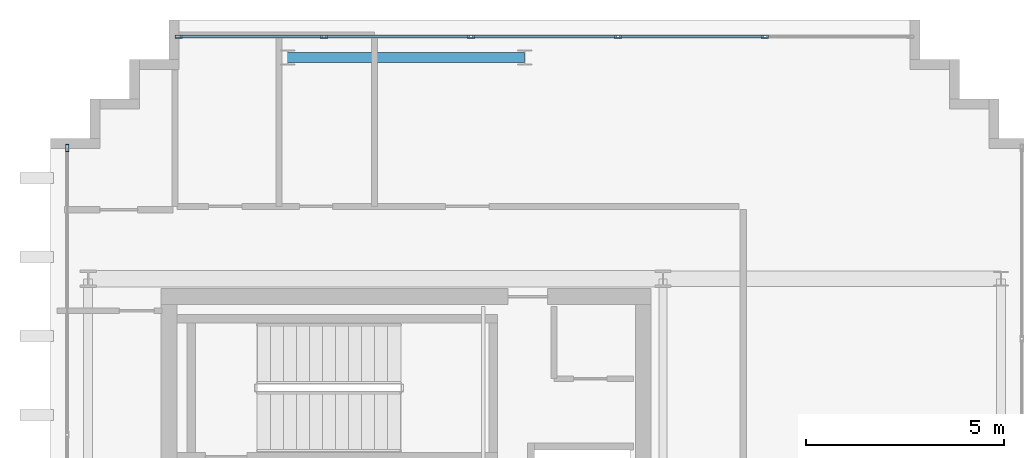
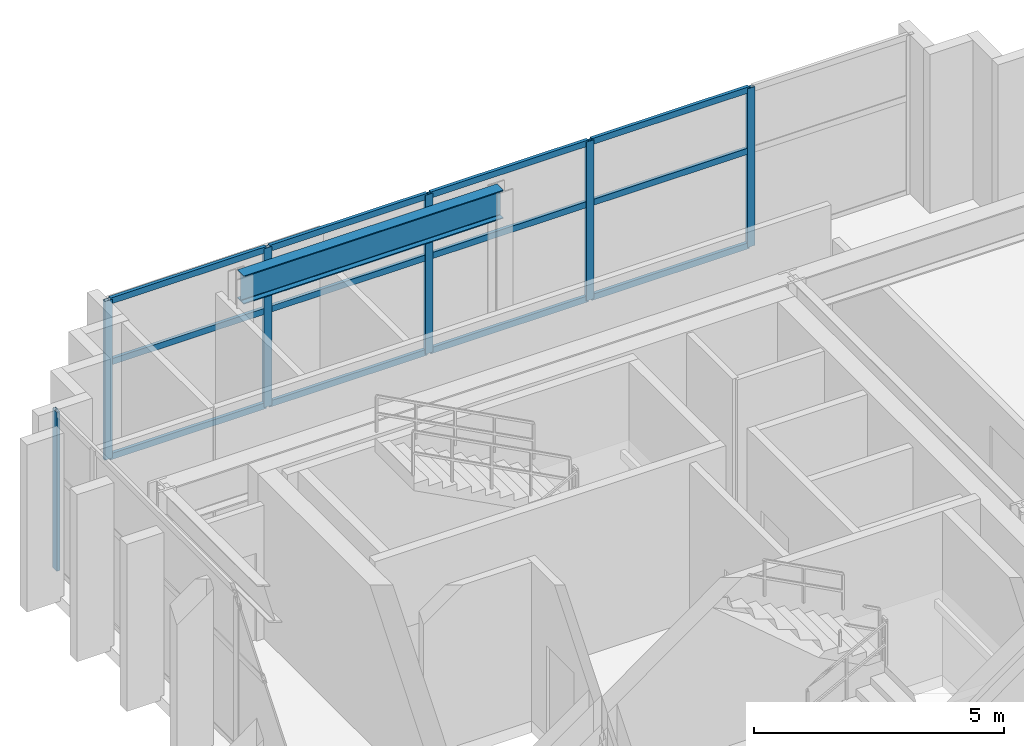
# One storey, part 8 of 15: 18 members, 1 beam, 2 elements without a shape of their own.
"""IFC4 building model written with IfcOpenShell, lengths in metres."""

from ifc_helpers import new_model, si_unit, direction, frame, origin, origin_2d, place, context, subcontext, project, spatial, hollow_rectangle, i_section, extrude, source, transform, mapped, material, layer, layer_set, material_profile, profile_set, type_object, element, aggregate, save


model = new_model("IFC4")

# Units and contexts
model_context = context("Model", 3, precision=1e-05, world=origin(), true_north=direction((0.0, 1.0)))
body_context = subcontext(model_context, "Body", "Model", "MODEL_VIEW")
ifc_project = project(units=[si_unit("LENGTHUNIT", "METRE"), si_unit("AREAUNIT", "SQUARE_METRE"), si_unit("VOLUMEUNIT", "CUBIC_METRE"), si_unit("PLANEANGLEUNIT", "RADIAN"), si_unit("MASSUNIT", "GRAM", prefix="KILO")], contexts=[model_context])

# Site, building, storey
site_placement = place(None, origin())
site = spatial("IfcSite", under=ifc_project, at=site_placement, CompositionType="ELEMENT")
building_placement = place(site_placement, origin())
building = spatial("IfcBuilding", under=site, at=building_placement, Name="Ocotamira Hotel", CompositionType="ELEMENT")
storey_placement = place(building_placement, frame((0.0, 0.0, 305.39990234375)))
storey = spatial("IfcBuildingStorey", under=building, at=storey_placement, Name="L78", CompositionType="ELEMENT", Elevation=305.39990234375)

# Beam
ifc_material_1 = material(Name="Steel ASTM A992 Grade 50", Category="steel")
ifc_material_profile_1 = material_profile(ifc_material_1, i_section(OverallWidth=0.256103515625, OverallDepth=0.693115234375, WebThickness=0.014404296875, FlangeThickness=0.023681640625, FilletRadius=0.01611328125, at=origin_2d()), Name="W27X114")
ifc_profile_set_1 = profile_set([ifc_material_profile_1], Name="Steel ASTM A992 Grade 50")
beam_type = type_object("IfcBeamType", Name="BM-PRIM-W27X114", PredefinedType="BEAM", material=ifc_profile_set_1)
shared_shape_1 = source(origin(), body_context, "Body", "SweptSolid", [
    extrude(i_section(OverallWidth=0.256103515625, OverallDepth=0.693115234375, WebThickness=0.014404296875, FlangeThickness=0.023681640625, FilletRadius=0.01611328125, at=origin_2d()), origin(), (0.0, 0.0, 1.0), 6.0),
])
beam_placement = place(storey_placement, frame((14.0, 43.050048828125, 3.53369140625), z_axis=(1.0, 0.0, 0.0), x_axis=(0.0, 1.0, 0.0)))
element("IfcBeam", 1, at=beam_placement, inside=storey, type_object=beam_type, Name="L78 Girder Y43.05 X14-20", PredefinedType="BEAM", context=body_context, shape_type="MappedRepresentation", body=[
    mapped(shared_shape_1, transform((0.0, 0.0, 0.0), scale=1.0)),
])

# Curtain wall, members
ifc_material_2 = material(Name="Anodised pale-metal aluminium and solar glass", Category="aluminium")
ifc_layer = layer(ifc_material_2, 0.2099609375)
ifc_layer_set = layer_set([ifc_layer], Name="Anodised pale-metal aluminium and solar glass")
curtain_wall_type = type_object("IfcCurtainWallType", Name="CW-SYS7-PEAK", PredefinedType="NOTDEFINED", material=ifc_layer_set)
curtain_wall_1_placement = place(storey_placement, origin())
curtain_wall_1 = element("IfcCurtainWall", 2, at=curtain_wall_1_placement, inside=storey, type_object=curtain_wall_type, Name="L78 Curtain Wall CW-7 CW-L78-N", PredefinedType="NOTDEFINED")
ifc_material_3 = material(Name="Anodised pale-metal aluminium 6063-T6", Category="aluminium")
ifc_material_profile_2 = material_profile(ifc_material_3, hollow_rectangle(XDim=0.074951171875, YDim=0.14990234375, WallThickness=0.006103515625, at=origin_2d()), Name="HSS150X75X6")
ifc_profile_set_2 = profile_set([ifc_material_profile_2], Name="Anodised pale-metal aluminium 6063-T6")
member_type_1 = type_object("IfcMemberType", Name="CWT-150X75", PredefinedType="USERDEFINED", material=ifc_profile_set_2)
shared_shape_2 = source(origin(), body_context, "Body", "SweptSolid", [
    extrude(hollow_rectangle(XDim=0.074951171875, YDim=0.14990234375, WallThickness=0.006103515625, at=origin_2d()), origin(), (0.0, 0.0, 1.0), 3.599853515625),
])
member_1_placement = place(storey_placement, frame((11.280029296875, 43.580078125, 0.03759765625), z_axis=(1.0, 0.0, 0.0), x_axis=(0.0, 1.0, 0.0)))
member_1 = element("IfcMember", 3, at=member_1_placement, type_object=member_type_1, Name="CW-7 transom 1.1", ObjectType="TRANSOM", PredefinedType="USERDEFINED", context=body_context, shape_type="MappedRepresentation", body=[
    mapped(shared_shape_2, transform((0.0, 0.0, 0.0), scale=1.0)),
])
member_2_placement = place(storey_placement, frame((11.280029296875, 43.580078125, 2.35009765625), z_axis=(1.0, 0.0, 0.0), x_axis=(0.0, 1.0, 0.0)))
member_2 = element("IfcMember", 4, at=member_2_placement, type_object=member_type_1, Name="CW-7 transom 1.2", ObjectType="TRANSOM", PredefinedType="USERDEFINED", context=body_context, shape_type="MappedRepresentation", body=[
    mapped(shared_shape_2, transform((0.0, 0.0, 0.0), scale=1.0)),
])
member_3_placement = place(storey_placement, frame((11.280029296875, 43.580078125, 3.842529296875), z_axis=(1.0, 0.0, 0.0), x_axis=(0.0, 1.0, 0.0)))
member_3 = element("IfcMember", 5, at=member_3_placement, type_object=member_type_1, Name="CW-7 transom 1.3", ObjectType="TRANSOM", PredefinedType="USERDEFINED", context=body_context, shape_type="MappedRepresentation", body=[
    mapped(shared_shape_2, transform((0.0, 0.0, 0.0), scale=1.0)),
])
shared_shape_3 = source(origin(), body_context, "Body", "SweptSolid", [
    extrude(hollow_rectangle(XDim=0.074951171875, YDim=0.14990234375, WallThickness=0.006103515625, at=origin_2d()), origin(), (0.0, 0.0, 1.0), 3.64013671875),
])
member_4_placement = place(storey_placement, frame((14.9599609375, 43.580078125, 0.03759765625), z_axis=(1.0, 0.0, 0.0), x_axis=(0.0, 1.0, 0.0)))
member_4 = element("IfcMember", 6, at=member_4_placement, type_object=member_type_1, Name="CW-7 transom 2.1", ObjectType="TRANSOM", PredefinedType="USERDEFINED", context=body_context, shape_type="MappedRepresentation", body=[
    mapped(shared_shape_3, transform((0.0, 0.0, 0.0), scale=1.0)),
])
member_5_placement = place(storey_placement, frame((14.9599609375, 43.580078125, 2.35009765625), z_axis=(1.0, 0.0, 0.0), x_axis=(0.0, 1.0, 0.0)))
member_5 = element("IfcMember", 7, at=member_5_placement, type_object=member_type_1, Name="CW-7 transom 2.2", ObjectType="TRANSOM", PredefinedType="USERDEFINED", context=body_context, shape_type="MappedRepresentation", body=[
    mapped(shared_shape_3, transform((0.0, 0.0, 0.0), scale=1.0)),
])
member_6_placement = place(storey_placement, frame((14.9599609375, 43.580078125, 3.842529296875), z_axis=(1.0, 0.0, 0.0), x_axis=(0.0, 1.0, 0.0)))
member_6 = element("IfcMember", 8, at=member_6_placement, type_object=member_type_1, Name="CW-7 transom 2.3", ObjectType="TRANSOM", PredefinedType="USERDEFINED", context=body_context, shape_type="MappedRepresentation", body=[
    mapped(shared_shape_3, transform((0.0, 0.0, 0.0), scale=1.0)),
])
member_7_placement = place(storey_placement, frame((18.679931640625, 43.580078125, 0.03759765625), z_axis=(1.0, 0.0, 0.0), x_axis=(0.0, 1.0, 0.0)))
member_7 = element("IfcMember", 9, at=member_7_placement, type_object=member_type_1, Name="CW-7 transom 3.1", ObjectType="TRANSOM", PredefinedType="USERDEFINED", context=body_context, shape_type="MappedRepresentation", body=[
    mapped(shared_shape_3, transform((0.0, 0.0, 0.0), scale=1.0)),
])
member_8_placement = place(storey_placement, frame((18.679931640625, 43.580078125, 2.35009765625), z_axis=(1.0, 0.0, 0.0), x_axis=(0.0, 1.0, 0.0)))
member_8 = element("IfcMember", 10, at=member_8_placement, type_object=member_type_1, Name="CW-7 transom 3.2", ObjectType="TRANSOM", PredefinedType="USERDEFINED", context=body_context, shape_type="MappedRepresentation", body=[
    mapped(shared_shape_3, transform((0.0, 0.0, 0.0), scale=1.0)),
])
member_9_placement = place(storey_placement, frame((18.679931640625, 43.580078125, 3.842529296875), z_axis=(1.0, 0.0, 0.0), x_axis=(0.0, 1.0, 0.0)))
member_9 = element("IfcMember", 11, at=member_9_placement, type_object=member_type_1, Name="CW-7 transom 3.3", ObjectType="TRANSOM", PredefinedType="USERDEFINED", context=body_context, shape_type="MappedRepresentation", body=[
    mapped(shared_shape_3, transform((0.0, 0.0, 0.0), scale=1.0)),
])
member_10_placement = place(storey_placement, frame((22.39990234375, 43.580078125, 0.03759765625), z_axis=(1.0, 0.0, 0.0), x_axis=(0.0, 1.0, 0.0)))
member_10 = element("IfcMember", 12, at=member_10_placement, type_object=member_type_1, Name="CW-7 transom 4.1", ObjectType="TRANSOM", PredefinedType="USERDEFINED", context=body_context, shape_type="MappedRepresentation", body=[
    mapped(shared_shape_3, transform((0.0, 0.0, 0.0), scale=1.0)),
])
member_11_placement = place(storey_placement, frame((22.39990234375, 43.580078125, 2.35009765625), z_axis=(1.0, 0.0, 0.0), x_axis=(0.0, 1.0, 0.0)))
member_11 = element("IfcMember", 13, at=member_11_placement, type_object=member_type_1, Name="CW-7 transom 4.2", ObjectType="TRANSOM", PredefinedType="USERDEFINED", context=body_context, shape_type="MappedRepresentation", body=[
    mapped(shared_shape_3, transform((0.0, 0.0, 0.0), scale=1.0)),
])
member_12_placement = place(storey_placement, frame((22.39990234375, 43.580078125, 3.842529296875), z_axis=(1.0, 0.0, 0.0), x_axis=(0.0, 1.0, 0.0)))
member_12 = element("IfcMember", 14, at=member_12_placement, type_object=member_type_1, Name="CW-7 transom 4.3", ObjectType="TRANSOM", PredefinedType="USERDEFINED", context=body_context, shape_type="MappedRepresentation", body=[
    mapped(shared_shape_3, transform((0.0, 0.0, 0.0), scale=1.0)),
])
ifc_material_profile_3 = material_profile(ifc_material_3, hollow_rectangle(XDim=0.080078125, YDim=0.179931640625, WallThickness=0.006103515625, at=origin_2d()), Name="HSS180X80X6")
ifc_profile_set_3 = profile_set([ifc_material_profile_3], Name="Anodised pale-metal aluminium 6063-T6")
member_type_2 = type_object("IfcMemberType", Name="CWM-180X75", PredefinedType="MULLION", material=ifc_profile_set_3)
shared_shape_4 = source(origin(), body_context, "Body", "SweptSolid", [
    extrude(hollow_rectangle(XDim=0.080078125, YDim=0.179931640625, WallThickness=0.006103515625, at=origin_2d()), origin(), (0.0, 0.0, 1.0), 3.880126953125),
])
member_13_placement = place(storey_placement, frame((11.239990234375, 43.580078125, 0.0), z_axis=(0.0, 0.0, 1.0), x_axis=(0.0, 1.0, 0.0)))
member_13 = element("IfcMember", 15, at=member_13_placement, type_object=member_type_2, Name="CW-7 mullion 1", PredefinedType="MULLION", context=body_context, shape_type="MappedRepresentation", body=[
    mapped(shared_shape_4, transform((0.0, 0.0, 0.0), scale=1.0)),
])
member_14_placement = place(storey_placement, frame((14.919921875, 43.580078125, 0.0), z_axis=(0.0, 0.0, 1.0), x_axis=(0.0, 1.0, 0.0)))
member_14 = element("IfcMember", 16, at=member_14_placement, type_object=member_type_2, Name="CW-7 mullion 2", PredefinedType="MULLION", context=body_context, shape_type="MappedRepresentation", body=[
    mapped(shared_shape_4, transform((0.0, 0.0, 0.0), scale=1.0)),
])
member_15_placement = place(storey_placement, frame((18.639892578125, 43.580078125, 0.0), z_axis=(0.0, 0.0, 1.0), x_axis=(0.0, 1.0, 0.0)))
member_15 = element("IfcMember", 17, at=member_15_placement, type_object=member_type_2, Name="CW-7 mullion 3", PredefinedType="MULLION", context=body_context, shape_type="MappedRepresentation", body=[
    mapped(shared_shape_4, transform((0.0, 0.0, 0.0), scale=1.0)),
])
member_16_placement = place(storey_placement, frame((22.360107421875, 43.580078125, 0.0), z_axis=(0.0, 0.0, 1.0), x_axis=(0.0, 1.0, 0.0)))
member_16 = element("IfcMember", 18, at=member_16_placement, type_object=member_type_2, Name="CW-7 mullion 4", PredefinedType="MULLION", context=body_context, shape_type="MappedRepresentation", body=[
    mapped(shared_shape_4, transform((0.0, 0.0, 0.0), scale=1.0)),
])
member_17_placement = place(storey_placement, frame((26.080078125, 43.580078125, 0.0), z_axis=(0.0, 0.0, 1.0), x_axis=(0.0, 1.0, 0.0)))
member_17 = element("IfcMember", 19, at=member_17_placement, type_object=member_type_2, Name="CW-7 mullion 5", PredefinedType="MULLION", context=body_context, shape_type="MappedRepresentation", body=[
    mapped(shared_shape_4, transform((0.0, 0.0, 0.0), scale=1.0)),
])
aggregate(curtain_wall_1, [member_13, member_14, member_15, member_16, member_17, member_1, member_2, member_3, member_4, member_5, member_6, member_7, member_8, member_9, member_10, member_11, member_12])

# Curtain wall, member
curtain_wall_2_placement = place(storey_placement, origin())
curtain_wall_2 = element("IfcCurtainWall", 20, at=curtain_wall_2_placement, inside=storey, type_object=curtain_wall_type, Name="L78 Curtain Wall CW-7 CW-L78-W2", PredefinedType="NOTDEFINED")
member_18_placement = place(storey_placement, frame((8.419921875, 40.760009765625, 0.0), z_axis=(0.0, 0.0, 1.0), x_axis=(-1.0, 0.0, 0.0)))
member_18 = element("IfcMember", 21, at=member_18_placement, type_object=member_type_2, Name="CW-7 mullion 3", PredefinedType="MULLION", context=body_context, shape_type="MappedRepresentation", body=[
    mapped(shared_shape_4, transform((0.0, 0.0, 0.0), scale=1.0)),
])
aggregate(curtain_wall_2, [member_18])

save(model, "model.ifc")
